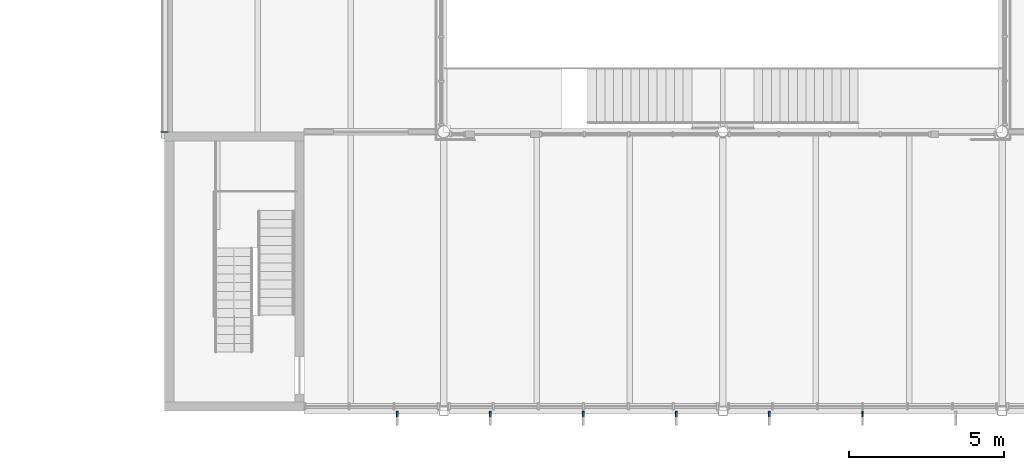
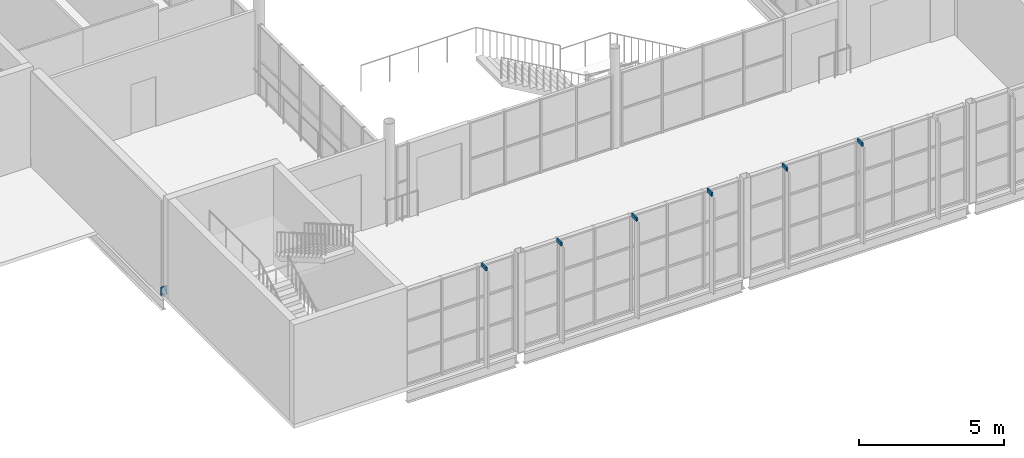
# One storey, part 41 of 57: 7 discrete accessories.
"""IFC4 building model written with IfcOpenShell, lengths in metres."""

import ifcopenshell
import ifcopenshell.guid

model = None  # the IFC model being written
_history = None  # IfcOwnerHistory: only IFC2X3 demands one
_inside = {}  # id of a spatial element -> (the spatial element, [elements in it])
_under = {}  # id of a project, library or spatial element -> (it, [spatial elements below it])
_declared = {}  # id of a project -> (the project, [libraries it declares])
_typed = {}  # id of a type object -> (the type object, [elements of that type])
_made_of = {}  # id of a material, layer set ... -> (it, [elements and type objects made of it])


def new_model(schema):
    """Start an empty IFC model of exactly this schema.

    Asked for "IFC4X3", IfcOpenShell would pick the latest addendum, in which some entities
    have other attributes; the version numbers below select the first issue.
    IFC2X3 requires an IfcOwnerHistory on every rooted entity: one is made here for all.
    """
    global model, _history
    if schema == "IFC4X3":
        model = ifcopenshell.file(schema_version=(4, 3, 0, 0))
    else:
        model = ifcopenshell.file(schema=schema)
    _inside.clear()
    _under.clear()
    _declared.clear()
    _typed.clear()
    _made_of.clear()
    _history = None
    if model.schema == "IFC2X3":
        org = make("IfcOrganization", Name="unknown")
        user = make(
            "IfcPersonAndOrganization",
            ThePerson=make("IfcPerson", FamilyName="unknown"),
            TheOrganization=org,
        )
        app = make(
            "IfcApplication",
            ApplicationDeveloper=org,
            Version="unknown",
            ApplicationFullName="unknown",
            ApplicationIdentifier="unknown",
        )
        _history = make(
            "IfcOwnerHistory",
            OwningUser=user,
            OwningApplication=app,
            ChangeAction="ADDED",
            CreationDate=0,
        )
    return model


def make(cls, **values):
    """One entity of the class cls with the attributes given. An attribute that is None is left unset."""
    return model.create_entity(
        cls, **{name: value for name, value in values.items() if value is not None}
    )


def rooted(cls, **values):
    """An entity with a GlobalId (a new one), such as an element, a storey or a relation."""
    return make(cls, GlobalId=ifcopenshell.guid.new(), OwnerHistory=_history, **values)


def si_unit(unit_type, name, prefix=None):
    """IfcSIUnit, for example si_unit("LENGTHUNIT", "METRE", prefix="MILLI")."""
    return make("IfcSIUnit", UnitType=unit_type, Prefix=prefix, Name=name)


def assignment(units):
    """IfcUnitAssignment: the units of a project."""
    return None if units is None else make("IfcUnitAssignment", Units=units)


def point(xyz):
    """IfcCartesianPoint."""
    return None if xyz is None else make("IfcCartesianPoint", Coordinates=xyz)


def direction(xyz):
    """IfcDirection."""
    return None if xyz is None else make("IfcDirection", DirectionRatios=xyz)


def frame(location, z_axis=None, x_axis=None):
    """IfcAxis2Placement3D, a coordinate frame: its origin and axes. An axis left out is left unset."""
    return make(
        "IfcAxis2Placement3D",
        Location=point(location),
        Axis=direction(z_axis),
        RefDirection=direction(x_axis),
    )


def frame_2d(location, x_axis=None):
    """IfcAxis2Placement2D, a coordinate frame in the plane: its origin and x axis."""
    return make(
        "IfcAxis2Placement2D", Location=point(location), RefDirection=direction(x_axis)
    )


def origin():
    """The frame at (0, 0, 0) with its axes left unset."""
    return frame((0.0, 0.0, 0.0))


def origin_2d():
    """The frame at (0, 0) in the plane with its x axis left unset."""
    return frame_2d((0.0, 0.0))


def place(relative_to, where):
    """IfcLocalPlacement: puts the frame where relative to a parent placement (None: the world)."""
    return make(
        "IfcLocalPlacement", PlacementRelTo=relative_to, RelativePlacement=where
    )


def context(
    kind, dimensions, precision=None, world=None, true_north=None, identifier=None
):
    """IfcGeometricRepresentationContext, for example the 3D "Model" context."""
    return make(
        "IfcGeometricRepresentationContext",
        ContextIdentifier=identifier,
        ContextType=kind,
        CoordinateSpaceDimension=dimensions,
        Precision=precision,
        WorldCoordinateSystem=world,
        TrueNorth=true_north,
    )


def subcontext(parent, identifier, kind, view, scale=None):
    """IfcGeometricRepresentationSubContext, for example "Body" below "Model"."""
    return make(
        "IfcGeometricRepresentationSubContext",
        ContextIdentifier=identifier,
        ContextType=kind,
        ParentContext=parent,
        TargetScale=scale,
        TargetView=view,
    )


def project(units=None, contexts=None):
    """IfcProject with its units and contexts."""
    return rooted(
        "IfcProject",
        Name="project",
        RepresentationContexts=contexts,
        UnitsInContext=assignment(units),
    )


def spatial(cls, under=None, at=None, **own):
    """A site, building, storey or space (cls), placed at a placement, below another one or the project."""
    s = rooted(cls, ObjectPlacement=at, **own)
    if under is not None:
        _under.setdefault(under.id(), (under, []))[1].append(s)
    return s


def profile(cls, at=None, kind="AREA", **sizes):
    """A parametric profile (cls). Its sizes go by their IFC names, for example OverallWidth=200.0."""
    return make(cls, ProfileType=kind, Position=at, **sizes)


def rectangle(**sizes):
    """IfcRectangleProfileDef."""
    return profile("IfcRectangleProfileDef", **sizes)


def extrude(swept, where, along, depth):
    """IfcExtrudedAreaSolid: the profile swept, set in the frame where, extruded along a direction by depth."""
    return make(
        "IfcExtrudedAreaSolid",
        SweptArea=swept,
        Position=where,
        ExtrudedDirection=direction(along),
        Depth=depth,
    )


def shape(context_of_items, identifier, shape_type, items):
    """IfcShapeRepresentation: the items that make up one representation, for example the "Body"."""
    return make(
        "IfcShapeRepresentation",
        ContextOfItems=context_of_items,
        RepresentationIdentifier=identifier,
        RepresentationType=shape_type,
        Items=items,
    )


def made_of(thing, what):
    """Note that an element or type object is made of a material, layer set ...; save() writes the relation."""
    if what is not None:
        _made_of.setdefault(what.id(), (what, []))[1].append(thing)
    return thing


def element(
    cls,
    number,
    at=None,
    inside=None,
    cuts=None,
    type_object=None,
    material=None,
    context=None,
    identifier="Body",
    shape_type=None,
    held_by="IfcProductDefinitionShape",
    body=None,
    shapes=None,
    **own,
):
    """One element of the class cls, such as IfcWall. Its Tag is "e" and its number.

    at: its placement. inside: the storey or other place that contains it. cuts: it is an
    opening in that element (IfcRelVoidsElement). A single representation is given by context,
    identifier, shape_type and body (its items); several are given by shapes. held_by: the class
    of the entity that holds the representations. save() writes the other relations.
    """
    e = rooted(cls, Tag="e%d" % number, ObjectPlacement=at, **own)
    if body is not None:
        shapes = [shape(context, identifier, shape_type, body)]
    if shapes is not None:
        e.Representation = make(held_by, Representations=shapes)
    if inside is not None:
        _inside.setdefault(inside.id(), (inside, []))[1].append(e)
    if cuts is not None:
        rooted(
            "IfcRelVoidsElement", RelatingBuildingElement=cuts, RelatedOpeningElement=e
        )
    if type_object is not None:
        _typed.setdefault(type_object.id(), (type_object, []))[1].append(e)
    return made_of(e, material)


def aggregate(whole, parts):
    """IfcRelAggregates: a whole, such as a stair, and the parts it consists of."""
    return rooted("IfcRelAggregates", RelatingObject=whole, RelatedObjects=parts)


def save(model, path):
    """Write the relations noted so far, then the file.

    IfcRelAggregates (storeys below a building ...), IfcRelContainedInSpatialStructure (elements
    in a storey), IfcRelDefinesByType, IfcRelAssociatesMaterial and IfcRelDeclares: one each for
    every whole, place, type object, material and project.
    """
    for whole, parts in _under.values():
        aggregate(whole, parts)
    for where, things in _inside.values():
        rooted(
            "IfcRelContainedInSpatialStructure",
            RelatedElements=things,
            RelatingStructure=where,
        )
    for kind, things in _typed.values():
        rooted("IfcRelDefinesByType", RelatedObjects=things, RelatingType=kind)
    for what, things in _made_of.values():
        rooted("IfcRelAssociatesMaterial", RelatedObjects=things, RelatingMaterial=what)
    for by, libraries in _declared.values():
        rooted("IfcRelDeclares", RelatingContext=by, RelatedDefinitions=libraries)
    model.write(path)


model = new_model("IFC4")

# Units and contexts
model_context = context("Model", 3, precision=1e-05, world=origin(), true_north=direction((0.0, 1.0)))
body_context = subcontext(model_context, "Body", "Model", "MODEL_VIEW")
ifc_project = project(units=[si_unit("LENGTHUNIT", "METRE"), si_unit("AREAUNIT", "SQUARE_METRE"), si_unit("VOLUMEUNIT", "CUBIC_METRE"), si_unit("PLANEANGLEUNIT", "RADIAN"), si_unit("MASSUNIT", "GRAM", prefix="KILO")], contexts=[model_context])

# Site, building, storey
site_placement = place(None, origin())
site = spatial("IfcSite", under=ifc_project, at=site_placement, CompositionType="ELEMENT")
building_placement = place(site_placement, origin())
building = spatial("IfcBuilding", under=site, at=building_placement, Name="Halyard Row Museum", CompositionType="ELEMENT")
storey_placement = place(building_placement, frame((0.0, 0.0, 5.0)))
storey = spatial("IfcBuildingStorey", under=building, at=storey_placement, Name="L01", CompositionType="ELEMENT", Elevation=5.0)

# Discrete accessories
discrete_accessory_placement = place(storey_placement, frame((72.0, 9.0, 0.215087890625), z_axis=(0.0, -1.0, 0.0), x_axis=(1.0, 0.0, 0.0)))
element("IfcDiscreteAccessory", 1, at=discrete_accessory_placement, inside=storey, Name="Brace L01 X72 9-18 A cast-in plate", PredefinedType="ANCHORPLATE", context=body_context, shape_type="SweptSolid", body=[
    extrude(rectangle(XDim=0.25, YDim=0.35009765625, at=origin_2d()), origin(), (0.0, 0.0, 1.0), 0.02001953125),
])
for number, where, z_axis, x_axis, name in (
    (2, (79.5, -0.16259765625, 4.050048828125), (0.0, 0.0, 1.0), (1.0, 0.0, 0.0), "Fin bracket"),
    (3, (82.5, -0.16259765625, 4.050048828125), (0.0, 0.0, 1.0), (1.0, 0.0, 0.0), "Fin bracket"),
    (4, (85.5, -0.16259765625, 4.050048828125), (0.0, 0.0, 1.0), (1.0, 0.0, 0.0), "Fin bracket"),
    (5, (88.5, -0.16259765625, 4.050048828125), (0.0, 0.0, 1.0), (1.0, 0.0, 0.0), "Fin bracket"),
    (6, (91.5, -0.16259765625, 4.050048828125), (0.0, 0.0, 1.0), (1.0, 0.0, 0.0), "Fin bracket"),
    (7, (94.5, -0.16259765625, 4.050048828125), (0.0, 0.0, 1.0), (1.0, 0.0, 0.0), "Fin bracket"),
):
    element("IfcDiscreteAccessory", number, at=place(storey_placement, frame(where, z_axis=z_axis, x_axis=x_axis)), inside=storey, Name=name, PredefinedType="BRACKET", context=body_context, shape_type="SweptSolid", body=[
        extrude(rectangle(XDim=0.06005859375, YDim=0.324951171875, at=origin_2d()), origin(), (0.0, 0.0, 1.0), 0.14990234375),
    ])

save(model, "model.ifc")
